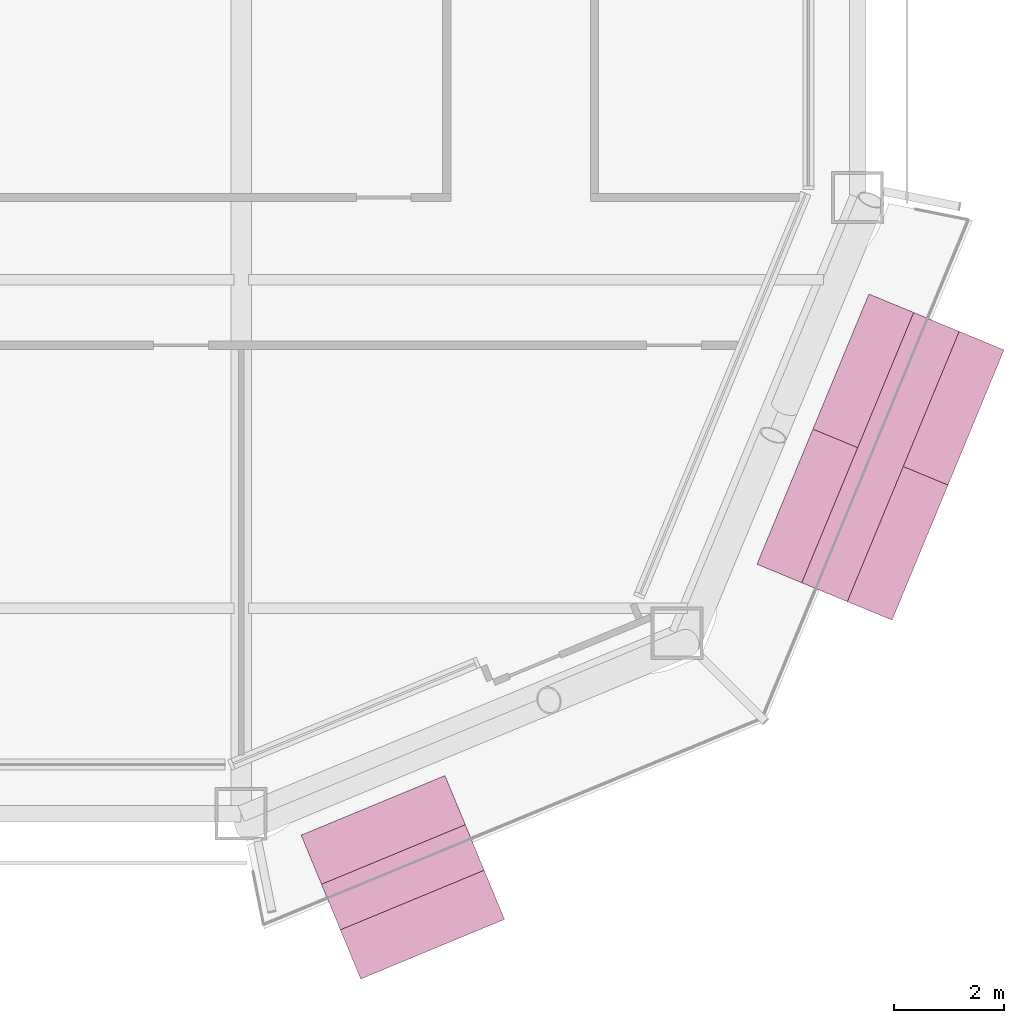
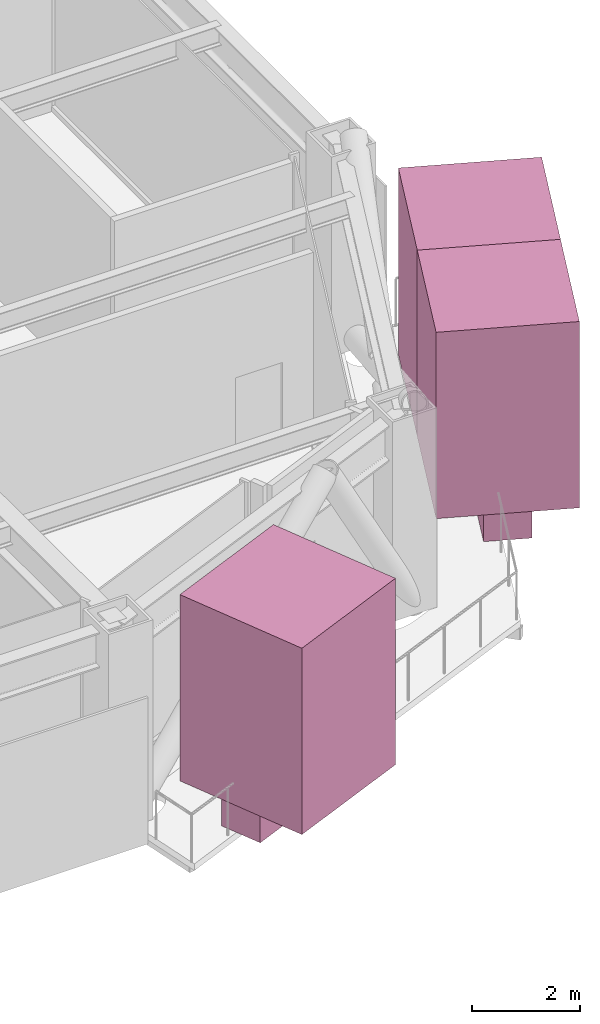
# One storey, part 23 of 23: 5 furnishings.
"""IFC4 building model written with IfcOpenShell, lengths in metres."""

from ifc_helpers import new_model, si_unit, direction, frame, origin, origin_2d, place, context, subcontext, project, spatial, rectangle, extrude, material, type_object, element, save


model = new_model("IFC4")

# Units and contexts
model_context = context("Model", 3, precision=1e-05, world=origin(), true_north=direction((0.0, 1.0)))
body_context = subcontext(model_context, "Body", "Model", "MODEL_VIEW")
ifc_project = project(units=[si_unit("LENGTHUNIT", "METRE"), si_unit("AREAUNIT", "SQUARE_METRE"), si_unit("VOLUMEUNIT", "CUBIC_METRE"), si_unit("PLANEANGLEUNIT", "RADIAN"), si_unit("MASSUNIT", "GRAM", prefix="KILO")], contexts=[model_context])

# Site, building, storey
site_placement = place(None, origin())
site = spatial("IfcSite", under=ifc_project, at=site_placement, CompositionType="ELEMENT")
building_placement = place(site_placement, origin())
building = spatial("IfcBuilding", under=site, at=building_placement, Name="Siwar Civic Tower", CompositionType="ELEMENT")
storey_placement = place(building_placement, frame((0.0, 0.0, 127.199951171875)))
storey = spatial("IfcBuildingStorey", under=building, at=storey_placement, Name="L27", CompositionType="ELEMENT", Elevation=127.199951171875)

# Furnishings
ifc_material_1 = material(Name="Planting soil and foliage")
furnishing_element_type_1 = type_object("IfcFurnishingElementType", Name="ENV-PLANTER", material=ifc_material_1)
furnishing_1_placement = place(storey_placement, frame((20.949951171875, -30.409423828125, 0.0), z_axis=(0.0, 0.0, 1.0), x_axis=(0.923879532511, 0.382683432365, 0.0)))
element("IfcFurnishingElement", 1, at=furnishing_1_placement, inside=storey, type_object=furnishing_element_type_1, Name="PLANTER SE 1", context=body_context, shape_type="SweptSolid", body=[
    extrude(rectangle(XDim=2.84130859375, YDim=0.89990234375, at=origin_2d()), origin(), (0.0, 0.0, 1.0), 0.60009765625),
])
furnishing_2_placement = place(storey_placement, frame((29.66796875, -22.73974609375, 0.0), z_axis=(0.0, 0.0, 1.0), x_axis=(0.382683432365, 0.923879532511, 0.0)))
element("IfcFurnishingElement", 2, at=furnishing_2_placement, inside=storey, type_object=furnishing_element_type_1, Name="PLANTER SE 2", context=body_context, shape_type="SweptSolid", body=[
    extrude(rectangle(XDim=5.33837890625, YDim=0.89990234375, at=origin_2d()), origin(), (0.0, 0.0, 1.0), 0.60009765625),
])
ifc_material_2 = material(Name="Planting soil and foliage")
furnishing_element_type_2 = type_object("IfcFurnishingElementType", Name="ENV-TREE", material=ifc_material_2)
furnishing_3_placement = place(storey_placement, frame((20.949951171875, -30.409423828125, 0.60009765625), z_axis=(0.0, 0.0, 1.0), x_axis=(0.923879532511, 0.382683432365, 0.0)))
element("IfcFurnishingElement", 3, at=furnishing_3_placement, inside=storey, type_object=furnishing_element_type_2, Name="PLANTER (TREE) SE 1.1", context=body_context, shape_type="SweptSolid", body=[
    extrude(rectangle(XDim=2.84130859375, YDim=2.84130859375, at=origin_2d()), origin(), (0.0, 0.0, 1.0), 4.199951171875),
])
for number, where, z_axis, x_axis, name in (
    (4, (29.1572265625, -23.972900390625, 0.60009765625), (0.0, 0.0, 1.0), (0.382683432365, 0.923879532511, 0.0), "PLANTER (TREE) SE 2.1"),
    (5, (30.1787109375, -21.5068359375, 0.60009765625), (0.0, 0.0, 1.0), (0.382683432365, 0.923879532511, 0.0), "PLANTER (TREE) SE 2.2"),
):
    element("IfcFurnishingElement", number, at=place(storey_placement, frame(where, z_axis=z_axis, x_axis=x_axis)), inside=storey, type_object=furnishing_element_type_2, Name=name, context=body_context, shape_type="SweptSolid", body=[
        extrude(rectangle(XDim=2.669189453125, YDim=2.669189453125, at=origin_2d()), origin(), (0.0, 0.0, 1.0), 4.199951171875),
    ])

save(model, "model.ifc")
